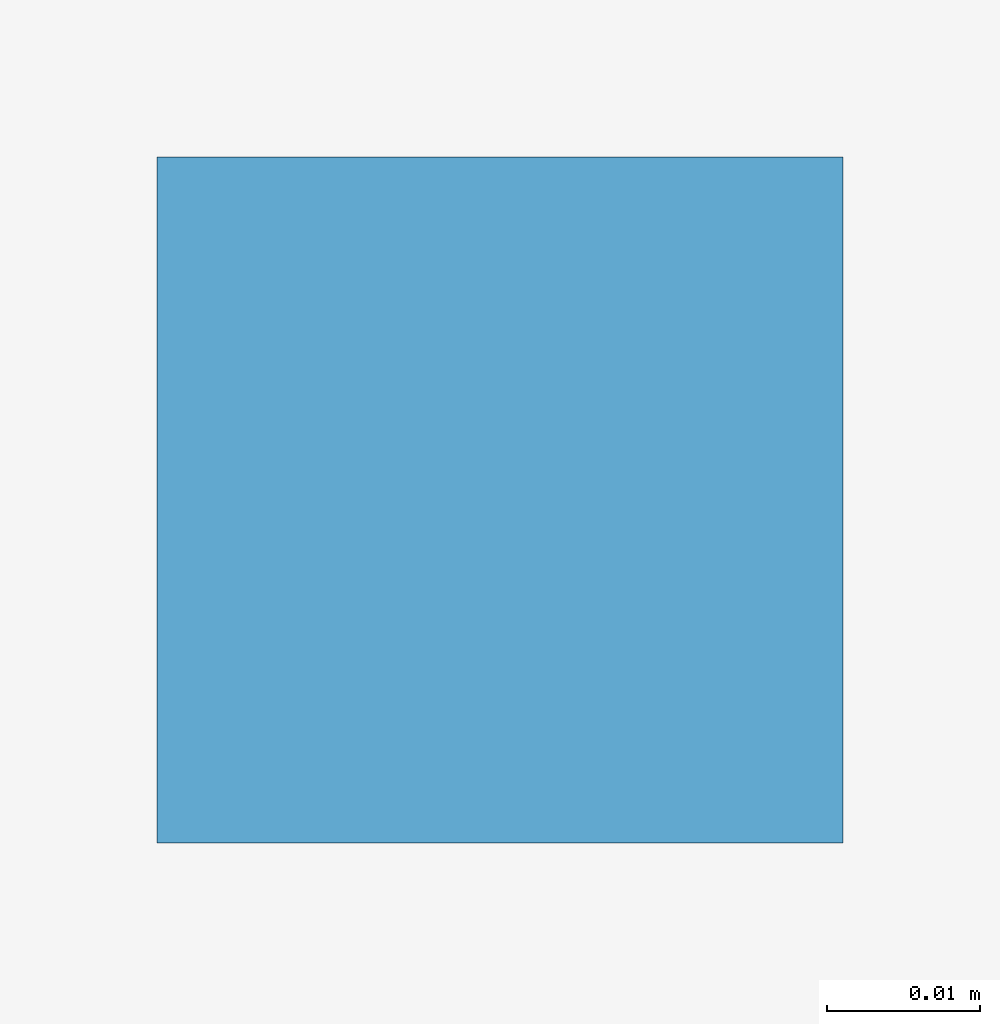
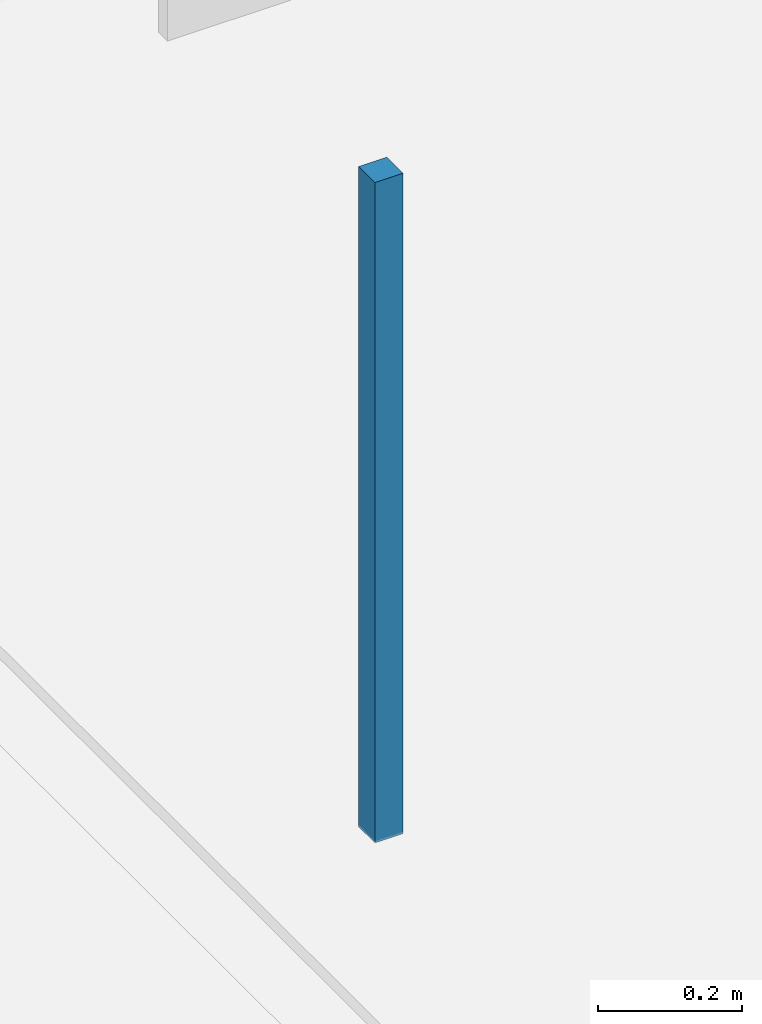
# One storey, part 99 of 130: 1 discrete accessory.
"""IFC4 building model written with IfcOpenShell, lengths in metres."""

from ifc_helpers import new_model, si_unit, direction, frame, origin, origin_2d, place, context, subcontext, project, spatial, rectangle, extrude, material, type_object, element, save


model = new_model("IFC4")

# Units and contexts
model_context = context("Model", 3, precision=1e-05, world=origin(), true_north=direction((0.0, 1.0)))
body_context = subcontext(model_context, "Body", "Model", "MODEL_VIEW")
ifc_project = project(units=[si_unit("LENGTHUNIT", "METRE"), si_unit("AREAUNIT", "SQUARE_METRE"), si_unit("VOLUMEUNIT", "CUBIC_METRE"), si_unit("PLANEANGLEUNIT", "RADIAN"), si_unit("MASSUNIT", "GRAM", prefix="KILO"), si_unit("THERMODYNAMICTEMPERATUREUNIT", "KELVIN"), si_unit("POWERUNIT", "WATT")], contexts=[model_context])

# Site, building, storey
site_placement = place(None, origin())
site = spatial("IfcSite", under=ifc_project, at=site_placement, CompositionType="ELEMENT")
building_placement = place(site_placement, origin())
building = spatial("IfcBuilding", under=site, at=building_placement, Name="Tallowbark Science Centre", CompositionType="ELEMENT")
storey_placement = place(building_placement, frame((0.0, 0.0, 5.39990234375)))
storey = spatial("IfcBuildingStorey", under=building, at=storey_placement, Name="L01", CompositionType="ELEMENT", Elevation=5.39990234375)

# Discrete accessory
ifc_material = material(Name="Galvanised Steel Grade C350L0 (350 MPa)", Category="steel")
discrete_accessory_type = type_object("IfcDiscreteAccessoryType", Name="ACC-CLG-HNG", PredefinedType="BRACKET", material=ifc_material)
discrete_accessory_placement = place(storey_placement, frame((127.354248046875, 75.083251953125, 3.2060546875), z_axis=(0.0, 0.0, 1.0), x_axis=(1.0, 0.0, 0.0)))
element("IfcDiscreteAccessory", 1, at=discrete_accessory_placement, inside=storey, type_object=discrete_accessory_type, Name="Ceiling Hanger Bracket L01-696", PredefinedType="BRACKET", context=body_context, shape_type="SweptSolid", body=[
    extrude(rectangle(XDim=0.044921875, YDim=0.044921875, at=origin_2d()), origin(), (0.0, 0.0, 1.0), 1.116943359375),
])

save(model, "model.ifc")
